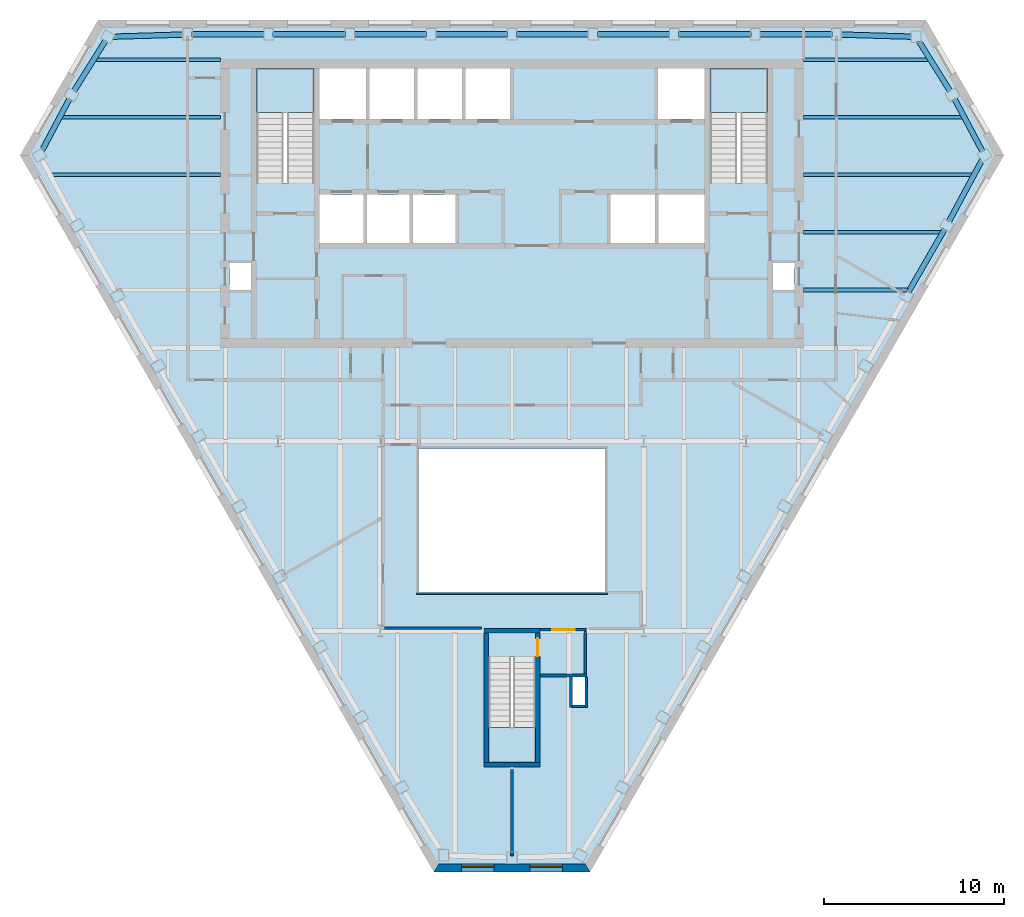
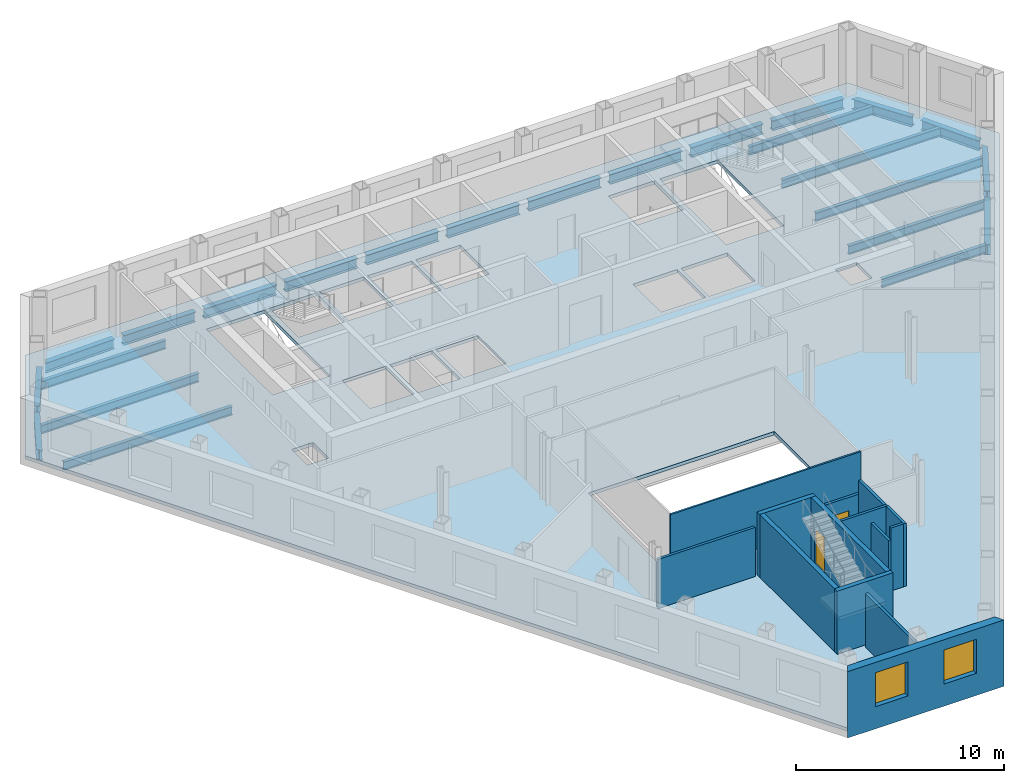
# One storey, part 3 of 10: 24 beams, 14 walls, 4 slabs, 2 doors, 2 windows, 4 openings, 3 elements without a shape of their own.
"""IFC4 building model written with IfcOpenShell, lengths in metres."""

import ifcopenshell
import ifcopenshell.guid

model = None  # the IFC model being written
_history = None  # IfcOwnerHistory: only IFC2X3 demands one
_inside = {}  # id of a spatial element -> (the spatial element, [elements in it])
_under = {}  # id of a project, library or spatial element -> (it, [spatial elements below it])
_declared = {}  # id of a project -> (the project, [libraries it declares])
_typed = {}  # id of a type object -> (the type object, [elements of that type])
_made_of = {}  # id of a material, layer set ... -> (it, [elements and type objects made of it])


def new_model(schema):
    """Start an empty IFC model of exactly this schema.

    Asked for "IFC4X3", IfcOpenShell would pick the latest addendum, in which some entities
    have other attributes; the version numbers below select the first issue.
    IFC2X3 requires an IfcOwnerHistory on every rooted entity: one is made here for all.
    """
    global model, _history
    if schema == "IFC4X3":
        model = ifcopenshell.file(schema_version=(4, 3, 0, 0))
    else:
        model = ifcopenshell.file(schema=schema)
    _inside.clear()
    _under.clear()
    _declared.clear()
    _typed.clear()
    _made_of.clear()
    _history = None
    if model.schema == "IFC2X3":
        org = make("IfcOrganization", Name="unknown")
        user = make(
            "IfcPersonAndOrganization",
            ThePerson=make("IfcPerson", FamilyName="unknown"),
            TheOrganization=org,
        )
        app = make(
            "IfcApplication",
            ApplicationDeveloper=org,
            Version="unknown",
            ApplicationFullName="unknown",
            ApplicationIdentifier="unknown",
        )
        _history = make(
            "IfcOwnerHistory",
            OwningUser=user,
            OwningApplication=app,
            ChangeAction="ADDED",
            CreationDate=0,
        )
    return model


def make(cls, **values):
    """One entity of the class cls with the attributes given. An attribute that is None is left unset."""
    return model.create_entity(
        cls, **{name: value for name, value in values.items() if value is not None}
    )


def rooted(cls, **values):
    """An entity with a GlobalId (a new one), such as an element, a storey or a relation."""
    return make(cls, GlobalId=ifcopenshell.guid.new(), OwnerHistory=_history, **values)


def si_unit(unit_type, name, prefix=None):
    """IfcSIUnit, for example si_unit("LENGTHUNIT", "METRE", prefix="MILLI")."""
    return make("IfcSIUnit", UnitType=unit_type, Prefix=prefix, Name=name)


def assignment(units):
    """IfcUnitAssignment: the units of a project."""
    return None if units is None else make("IfcUnitAssignment", Units=units)


def point(xyz):
    """IfcCartesianPoint."""
    return None if xyz is None else make("IfcCartesianPoint", Coordinates=xyz)


def direction(xyz):
    """IfcDirection."""
    return None if xyz is None else make("IfcDirection", DirectionRatios=xyz)


def frame(location, z_axis=None, x_axis=None):
    """IfcAxis2Placement3D, a coordinate frame: its origin and axes. An axis left out is left unset."""
    return make(
        "IfcAxis2Placement3D",
        Location=point(location),
        Axis=direction(z_axis),
        RefDirection=direction(x_axis),
    )


def frame_2d(location, x_axis=None):
    """IfcAxis2Placement2D, a coordinate frame in the plane: its origin and x axis."""
    return make(
        "IfcAxis2Placement2D", Location=point(location), RefDirection=direction(x_axis)
    )


def origin():
    """The frame at (0, 0, 0) with its axes left unset."""
    return frame((0.0, 0.0, 0.0))


def origin_2d():
    """The frame at (0, 0) in the plane with its x axis left unset."""
    return frame_2d((0.0, 0.0))


def place(relative_to, where):
    """IfcLocalPlacement: puts the frame where relative to a parent placement (None: the world)."""
    return make(
        "IfcLocalPlacement", PlacementRelTo=relative_to, RelativePlacement=where
    )


def context(
    kind, dimensions, precision=None, world=None, true_north=None, identifier=None
):
    """IfcGeometricRepresentationContext, for example the 3D "Model" context."""
    return make(
        "IfcGeometricRepresentationContext",
        ContextIdentifier=identifier,
        ContextType=kind,
        CoordinateSpaceDimension=dimensions,
        Precision=precision,
        WorldCoordinateSystem=world,
        TrueNorth=true_north,
    )


def subcontext(parent, identifier, kind, view, scale=None):
    """IfcGeometricRepresentationSubContext, for example "Body" below "Model"."""
    return make(
        "IfcGeometricRepresentationSubContext",
        ContextIdentifier=identifier,
        ContextType=kind,
        ParentContext=parent,
        TargetScale=scale,
        TargetView=view,
    )


def project(units=None, contexts=None):
    """IfcProject with its units and contexts."""
    return rooted(
        "IfcProject",
        Name="project",
        RepresentationContexts=contexts,
        UnitsInContext=assignment(units),
    )


def spatial(cls, under=None, at=None, **own):
    """A site, building, storey or space (cls), placed at a placement, below another one or the project."""
    s = rooted(cls, ObjectPlacement=at, **own)
    if under is not None:
        _under.setdefault(under.id(), (under, []))[1].append(s)
    return s


def polyline(points):
    """IfcPolyline through the points."""
    return make("IfcPolyline", Points=[point(p) for p in points])


def profile(cls, at=None, kind="AREA", **sizes):
    """A parametric profile (cls). Its sizes go by their IFC names, for example OverallWidth=200.0."""
    return make(cls, ProfileType=kind, Position=at, **sizes)


def rectangle(**sizes):
    """IfcRectangleProfileDef."""
    return profile("IfcRectangleProfileDef", **sizes)


def i_section(**sizes):
    """IfcIShapeProfileDef."""
    return profile("IfcIShapeProfileDef", **sizes)


def outline(outer, holes=None, kind="AREA"):
    """IfcArbitraryClosedProfileDef: a profile drawn as a closed curve; with holes, ...WithVoids."""
    if holes is None:
        return make("IfcArbitraryClosedProfileDef", ProfileType=kind, OuterCurve=outer)
    return make(
        "IfcArbitraryProfileDefWithVoids",
        ProfileType=kind,
        OuterCurve=outer,
        InnerCurves=holes,
    )


def extrude(swept, where, along, depth):
    """IfcExtrudedAreaSolid: the profile swept, set in the frame where, extruded along a direction by depth."""
    return make(
        "IfcExtrudedAreaSolid",
        SweptArea=swept,
        Position=where,
        ExtrudedDirection=direction(along),
        Depth=depth,
    )


def clip(a, b, op="DIFFERENCE"):
    """IfcBooleanClippingResult: the solid a cut by the half space b."""
    return make(
        "IfcBooleanClippingResult", Operator=op, FirstOperand=a, SecondOperand=b
    )


def halfspace(plane, agree):
    """IfcHalfSpaceSolid: all space on one side of the plane z = 0 of the frame plane."""
    return make(
        "IfcHalfSpaceSolid",
        BaseSurface=make("IfcPlane", Position=plane),
        AgreementFlag=agree,
    )


def shape(context_of_items, identifier, shape_type, items):
    """IfcShapeRepresentation: the items that make up one representation, for example the "Body"."""
    return make(
        "IfcShapeRepresentation",
        ContextOfItems=context_of_items,
        RepresentationIdentifier=identifier,
        RepresentationType=shape_type,
        Items=items,
    )


def material(Name=None, Category=None):
    """IfcMaterial."""
    return make("IfcMaterial", Name=Name, Category=Category)


def layer(
    of_material, thickness, ventilated=None, Name=None, Category=None, Priority=None
):
    """IfcMaterialLayer: one layer of a wall or slab, of a material (None: an air gap)."""
    return make(
        "IfcMaterialLayer",
        Material=of_material,
        LayerThickness=thickness,
        IsVentilated=ventilated,
        Name=Name,
        Category=Category,
        Priority=Priority,
    )


def layer_set(layers, Name=None):
    """IfcMaterialLayerSet."""
    return make("IfcMaterialLayerSet", MaterialLayers=layers, LayerSetName=Name)


def material_profile(
    of_material, cross_section, Name=None, Category=None, Priority=None
):
    """IfcMaterialProfile: a cross section and its material."""
    return make(
        "IfcMaterialProfile",
        Name=Name,
        Material=of_material,
        Profile=cross_section,
        Priority=Priority,
        Category=Category,
    )


def profile_set(profiles, Name=None, composite=None):
    """IfcMaterialProfileSet."""
    return make(
        "IfcMaterialProfileSet",
        Name=Name,
        MaterialProfiles=profiles,
        CompositeProfile=composite,
    )


def made_of(thing, what):
    """Note that an element or type object is made of a material, layer set ...; save() writes the relation."""
    if what is not None:
        _made_of.setdefault(what.id(), (what, []))[1].append(thing)
    return thing


def type_object(cls, material=None, **own):
    """A type object (cls), such as IfcWallType, which elements share."""
    return made_of(rooted(cls, **own), material)


def element(
    cls,
    number,
    at=None,
    inside=None,
    cuts=None,
    type_object=None,
    material=None,
    context=None,
    identifier="Body",
    shape_type=None,
    held_by="IfcProductDefinitionShape",
    body=None,
    shapes=None,
    **own,
):
    """One element of the class cls, such as IfcWall. Its Tag is "e" and its number.

    at: its placement. inside: the storey or other place that contains it. cuts: it is an
    opening in that element (IfcRelVoidsElement). A single representation is given by context,
    identifier, shape_type and body (its items); several are given by shapes. held_by: the class
    of the entity that holds the representations. save() writes the other relations.
    """
    e = rooted(cls, Tag="e%d" % number, ObjectPlacement=at, **own)
    if body is not None:
        shapes = [shape(context, identifier, shape_type, body)]
    if shapes is not None:
        e.Representation = make(held_by, Representations=shapes)
    if inside is not None:
        _inside.setdefault(inside.id(), (inside, []))[1].append(e)
    if cuts is not None:
        rooted(
            "IfcRelVoidsElement", RelatingBuildingElement=cuts, RelatedOpeningElement=e
        )
    if type_object is not None:
        _typed.setdefault(type_object.id(), (type_object, []))[1].append(e)
    return made_of(e, material)


def fill(opening, filler):
    """IfcRelFillsElement: the door or window that sits in an opening."""
    return rooted(
        "IfcRelFillsElement",
        RelatingOpeningElement=opening,
        RelatedBuildingElement=filler,
    )


def aggregate(whole, parts):
    """IfcRelAggregates: a whole, such as a stair, and the parts it consists of."""
    return rooted("IfcRelAggregates", RelatingObject=whole, RelatedObjects=parts)


def save(model, path):
    """Write the relations noted so far, then the file.

    IfcRelAggregates (storeys below a building ...), IfcRelContainedInSpatialStructure (elements
    in a storey), IfcRelDefinesByType, IfcRelAssociatesMaterial and IfcRelDeclares: one each for
    every whole, place, type object, material and project.
    """
    for whole, parts in _under.values():
        aggregate(whole, parts)
    for where, things in _inside.values():
        rooted(
            "IfcRelContainedInSpatialStructure",
            RelatedElements=things,
            RelatingStructure=where,
        )
    for kind, things in _typed.values():
        rooted("IfcRelDefinesByType", RelatedObjects=things, RelatingType=kind)
    for what, things in _made_of.values():
        rooted("IfcRelAssociatesMaterial", RelatedObjects=things, RelatingMaterial=what)
    for by, libraries in _declared.values():
        rooted("IfcRelDeclares", RelatingContext=by, RelatedDefinitions=libraries)
    model.write(path)


model = new_model("IFC4")

# Units and contexts
model_context = context("Model", 3, precision=1e-05, world=origin(), true_north=direction((0.0, 1.0)))
body_context = subcontext(model_context, "Body", "Model", "MODEL_VIEW")
ifc_project = project(units=[si_unit("LENGTHUNIT", "METRE"), si_unit("AREAUNIT", "SQUARE_METRE"), si_unit("VOLUMEUNIT", "CUBIC_METRE"), si_unit("PLANEANGLEUNIT", "RADIAN"), si_unit("MASSUNIT", "GRAM", prefix="KILO")], contexts=[model_context])

# Site, building, storey
site_placement = place(None, origin())
site = spatial("IfcSite", under=ifc_project, at=site_placement, CompositionType="ELEMENT")
building_placement = place(site_placement, origin())
building = spatial("IfcBuilding", under=site, at=building_placement, Name="Njiva Tower", CompositionType="ELEMENT")
storey_placement = place(building_placement, frame((0.0, 0.0, 155.4)))
storey = spatial("IfcBuildingStorey", under=building, at=storey_placement, Name="L33", CompositionType="ELEMENT", Elevation=155.4)

# Beams
ifc_material_1 = material(Name="Steel S355 J2", Category="steel")
ifc_material_profile_1 = material_profile(ifc_material_1, i_section(OverallWidth=0.2, OverallDepth=0.5, WebThickness=0.0102, FlangeThickness=0.016, at=origin_2d()), Name="IPE 500")
ifc_profile_set_1 = profile_set([ifc_material_profile_1], Name="Steel S355 J2")
beam_type_1 = type_object("IfcBeamType", Name="B24 Floor beam to the core IPE 500", PredefinedType="BEAM", material=ifc_profile_set_1)
beam_1_placement = place(storey_placement, frame((16.2, 5.2, -0.45), z_axis=(1.0, 0.0, 0.0), x_axis=(0.0, 1.0, 0.0)))
element("IfcBeam", 1, at=beam_1_placement, inside=storey, type_object=beam_type_1, Name="Floor beam to the core S11-B007", PredefinedType="BEAM", context=body_context, shape_type="Clipping", body=[
    clip(extrude(i_section(OverallWidth=0.2, OverallDepth=0.5, WebThickness=0.0102, FlangeThickness=0.016, at=origin_2d()), origin(), (0.0, 0.0, 1.0), 5.854), halfspace(frame((-0.025, 0.0, 5.7611), z_axis=(-0.499998009787, 0.0, 0.866026552831), x_axis=(0.0, 1.0, 0.0)), False)),
])
beam_2_placement = place(storey_placement, frame((16.2, 8.4, -0.45), z_axis=(1.0, 0.0, 0.0), x_axis=(0.0, 1.0, 0.0)))
element("IfcBeam", 2, at=beam_2_placement, inside=storey, type_object=beam_type_1, Name="Floor beam to the core S11-B008", PredefinedType="BEAM", context=body_context, shape_type="Clipping", body=[
    clip(extrude(i_section(OverallWidth=0.2, OverallDepth=0.5, WebThickness=0.0102, FlangeThickness=0.016, at=origin_2d()), origin(), (0.0, 0.0, 1.0), 7.701), halfspace(frame((-0.025, 0.0, 7.6086), z_axis=(-0.499998009787, 0.0, 0.866026552831), x_axis=(0.0, 1.0, 0.0)), False)),
])
beam_3_placement = place(storey_placement, frame((-25.635, 11.6, -0.45), z_axis=(1.0, 0.0, 0.0), x_axis=(0.0, 1.0, 0.0)))
element("IfcBeam", 3, at=beam_3_placement, inside=storey, type_object=beam_type_1, Name="Floor beam to the core S11-B001", PredefinedType="BEAM", context=body_context, shape_type="Clipping", body=[
    clip(extrude(i_section(OverallWidth=0.2, OverallDepth=0.5, WebThickness=0.0102, FlangeThickness=0.016, at=origin_2d()), origin(), (0.0, 0.0, 1.0), 9.435), halfspace(frame((-0.0237, 0.0, 0.0863), z_axis=(-0.47376166762, 0.0, -0.88065309986), x_axis=(0.0, -1.0, 0.0)), False)),
])
beam_4_placement = place(storey_placement, frame((16.2, 11.6, -0.45), z_axis=(1.0, 0.0, 0.0), x_axis=(0.0, 1.0, 0.0)))
element("IfcBeam", 4, at=beam_4_placement, inside=storey, type_object=beam_type_1, Name="Floor beam to the core S11-B010", PredefinedType="BEAM", context=body_context, shape_type="Clipping", body=[
    clip(extrude(i_section(OverallWidth=0.2, OverallDepth=0.5, WebThickness=0.0102, FlangeThickness=0.016, at=origin_2d()), origin(), (0.0, 0.0, 1.0), 9.435), halfspace(frame((-0.0237, 0.0, 9.3487), z_axis=(-0.47376166762, 0.0, 0.88065309986), x_axis=(0.0, 1.0, 0.0)), False)),
])
beam_5_placement = place(storey_placement, frame((-25.092, 14.8, -0.45), z_axis=(1.0, 0.0, 0.0), x_axis=(0.0, 1.0, 0.0)))
element("IfcBeam", 5, at=beam_5_placement, inside=storey, type_object=beam_type_1, Name="Floor beam to the core S11-B002", PredefinedType="BEAM", context=body_context, shape_type="Clipping", body=[
    clip(extrude(i_section(OverallWidth=0.2, OverallDepth=0.5, WebThickness=0.0102, FlangeThickness=0.016, at=origin_2d()), origin(), (0.0, 0.0, 1.0), 8.892), halfspace(frame((0.0235, 0.0, 0.0856), z_axis=(0.469390396119, 0.0, -0.882990745156), x_axis=(0.0, -1.0, 0.0)), False)),
])
beam_6_placement = place(storey_placement, frame((16.2, 14.8, -0.45), z_axis=(1.0, 0.0, 0.0), x_axis=(0.0, 1.0, 0.0)))
element("IfcBeam", 6, at=beam_6_placement, inside=storey, type_object=beam_type_1, Name="Floor beam to the core S11-B011", PredefinedType="BEAM", context=body_context, shape_type="Clipping", body=[
    clip(extrude(i_section(OverallWidth=0.2, OverallDepth=0.5, WebThickness=0.0102, FlangeThickness=0.016, at=origin_2d()), origin(), (0.0, 0.0, 1.0), 8.892), halfspace(frame((0.0235, 0.0, 8.8064), z_axis=(0.469390396119, 0.0, 0.882990745156), x_axis=(0.0, 1.0, 0.0)), False)),
])
beam_7_placement = place(storey_placement, frame((-23.213, 18.0, -0.45), z_axis=(1.0, 0.0, 0.0), x_axis=(0.0, 1.0, 0.0)))
element("IfcBeam", 7, at=beam_7_placement, inside=storey, type_object=beam_type_1, Name="Floor beam to the core S11-B005", PredefinedType="BEAM", context=body_context, shape_type="Clipping", body=[
    clip(extrude(i_section(OverallWidth=0.2, OverallDepth=0.5, WebThickness=0.0102, FlangeThickness=0.016, at=origin_2d()), origin(), (0.0, 0.0, 1.0), 7.013), halfspace(frame((0.0265, 0.0, 0.0994), z_axis=(0.529998940003, 0.0, -0.847998304005), x_axis=(0.0, -1.0, 0.0)), False)),
])
beam_8_placement = place(storey_placement, frame((16.2, 18.0, -0.45), z_axis=(1.0, 0.0, 0.0), x_axis=(0.0, 1.0, 0.0)))
element("IfcBeam", 8, at=beam_8_placement, inside=storey, type_object=beam_type_1, Name="Floor beam to the core S11-B012", PredefinedType="BEAM", context=body_context, shape_type="Clipping", body=[
    clip(extrude(i_section(OverallWidth=0.2, OverallDepth=0.5, WebThickness=0.0102, FlangeThickness=0.016, at=origin_2d()), origin(), (0.0, 0.0, 1.0), 7.013), halfspace(frame((0.0265, 0.0, 6.9136), z_axis=(0.529998940003, 0.0, 0.847998304005), x_axis=(0.0, 1.0, 0.0)), False)),
])
ifc_material_profile_2 = material_profile(ifc_material_1, i_section(OverallWidth=0.3, OverallDepth=0.59, WebThickness=0.013, FlangeThickness=0.025, at=origin_2d()), Name="HEA 600")
ifc_profile_set_2 = profile_set([ifc_material_profile_2], Name="Steel S355 J2")
beam_type_2 = type_object("IfcBeamType", Name="B27 Short-span spandrel beam HEA 600", PredefinedType="SPANDREL", material=ifc_profile_set_2)
beam_9_placement = place(storey_placement, frame((22.202, 19.275, -0.495), z_axis=(-0.999555331057, 0.029818453272, 0.0), x_axis=(-0.029818453272, -0.999555331057, 0.0)))
element("IfcBeam", 9, at=beam_9_placement, inside=storey, type_object=beam_type_2, Name="Short-span spandrel beam S11-B145", PredefinedType="SPANDREL", context=body_context, shape_type="SweptSolid", body=[
    extrude(i_section(OverallWidth=0.3, OverallDepth=0.59, WebThickness=0.013, FlangeThickness=0.025, at=origin_2d()), origin(), (0.0, 0.0, 1.0), 3.9237),
])
beam_10_placement = place(storey_placement, frame((17.776, 19.4, -0.495), z_axis=(-1.0, 0.0, 0.0), x_axis=(0.0, -1.0, 0.0)))
element("IfcBeam", 10, at=beam_10_placement, inside=storey, type_object=beam_type_2, Name="Short-span spandrel beam S11-B139", PredefinedType="SPANDREL", context=body_context, shape_type="SweptSolid", body=[
    extrude(i_section(OverallWidth=0.3, OverallDepth=0.59, WebThickness=0.013, FlangeThickness=0.025, at=origin_2d()), origin(), (0.0, 0.0, 1.0), 4.006),
])
beam_11_placement = place(storey_placement, frame((13.27, 19.4, -0.495), z_axis=(-1.0, 0.0, 0.0), x_axis=(0.0, -1.0, 0.0)))
element("IfcBeam", 11, at=beam_11_placement, inside=storey, type_object=beam_type_2, Name="Short-span spandrel beam S11-B133", PredefinedType="SPANDREL", context=body_context, shape_type="SweptSolid", body=[
    extrude(i_section(OverallWidth=0.3, OverallDepth=0.59, WebThickness=0.013, FlangeThickness=0.025, at=origin_2d()), origin(), (0.0, 0.0, 1.0), 4.007),
])
beam_12_placement = place(storey_placement, frame((8.763, 19.4, -0.495), z_axis=(-1.0, 0.0, 0.0), x_axis=(0.0, -1.0, 0.0)))
element("IfcBeam", 12, at=beam_12_placement, inside=storey, type_object=beam_type_2, Name="Short-span spandrel beam S11-B127", PredefinedType="SPANDREL", context=body_context, shape_type="SweptSolid", body=[
    extrude(i_section(OverallWidth=0.3, OverallDepth=0.59, WebThickness=0.013, FlangeThickness=0.025, at=origin_2d()), origin(), (0.0, 0.0, 1.0), 4.006),
])
for number, where, z_axis, x_axis, name in (
    (13, (4.257, 19.4, -0.495), (-1.0, 0.0, 0.0), (0.0, -1.0, 0.0), "Short-span spandrel beam S11-B124"),
    (14, (-0.25, 19.4, -0.495), (-1.0, 0.0, 0.0), (0.0, -1.0, 0.0), "Short-span spandrel beam S11-B119"),
):
    element("IfcBeam", number, at=place(storey_placement, frame(where, z_axis=z_axis, x_axis=x_axis)), inside=storey, type_object=beam_type_2, Name=name, PredefinedType="SPANDREL", context=body_context, shape_type="SweptSolid", body=[
        extrude(i_section(OverallWidth=0.3, OverallDepth=0.59, WebThickness=0.013, FlangeThickness=0.025, at=origin_2d()), origin(), (0.0, 0.0, 1.0), 4.007),
    ])
beam_13_placement = place(storey_placement, frame((-4.757, 19.4, -0.495), z_axis=(-1.0, 0.0, 0.0), x_axis=(0.0, -1.0, 0.0)))
element("IfcBeam", 15, at=beam_13_placement, inside=storey, type_object=beam_type_2, Name="Short-span spandrel beam S11-B114", PredefinedType="SPANDREL", context=body_context, shape_type="SweptSolid", body=[
    extrude(i_section(OverallWidth=0.3, OverallDepth=0.59, WebThickness=0.013, FlangeThickness=0.025, at=origin_2d()), origin(), (0.0, 0.0, 1.0), 4.006),
])
beam_14_placement = place(storey_placement, frame((-9.263, 19.4, -0.495), z_axis=(-1.0, 0.0, 0.0), x_axis=(0.0, -1.0, 0.0)))
element("IfcBeam", 16, at=beam_14_placement, inside=storey, type_object=beam_type_2, Name="Short-span spandrel beam S11-B108", PredefinedType="SPANDREL", context=body_context, shape_type="SweptSolid", body=[
    extrude(i_section(OverallWidth=0.3, OverallDepth=0.59, WebThickness=0.013, FlangeThickness=0.025, at=origin_2d()), origin(), (0.0, 0.0, 1.0), 4.007),
])
beam_15_placement = place(storey_placement, frame((-13.77, 19.4, -0.495), z_axis=(-1.0, 0.0, 0.0), x_axis=(0.0, -1.0, 0.0)))
element("IfcBeam", 17, at=beam_15_placement, inside=storey, type_object=beam_type_2, Name="Short-span spandrel beam S11-B102", PredefinedType="SPANDREL", context=body_context, shape_type="SweptSolid", body=[
    extrude(i_section(OverallWidth=0.3, OverallDepth=0.59, WebThickness=0.013, FlangeThickness=0.025, at=origin_2d()), origin(), (0.0, 0.0, 1.0), 4.006),
])
beam_16_placement = place(storey_placement, frame((-18.28, 19.392, -0.495), z_axis=(-0.999548107162, -0.030059631884, 0.0), x_axis=(0.030059631884, -0.999548107162, 0.0)))
element("IfcBeam", 18, at=beam_16_placement, inside=storey, type_object=beam_type_2, Name="Short-span spandrel beam S11-B096", PredefinedType="SPANDREL", context=body_context, shape_type="Clipping", body=[
    clip(extrude(i_section(OverallWidth=0.3, OverallDepth=0.59, WebThickness=0.013, FlangeThickness=0.025, at=origin_2d()), origin(), (0.0, 0.0, 1.0), 3.9387), halfspace(frame((-0.0268, 0.0, 3.809), z_axis=(-0.525804503647, 0.0, 0.850605445518), x_axis=(0.0, 1.0, 0.0)), False)),
])
beam_17_placement = place(storey_placement, frame((-22.591, 19.051, -0.495), z_axis=(-0.529944373672, -0.848032405521, 0.0), x_axis=(0.848032405521, -0.529944373672, 0.0)))
element("IfcBeam", 19, at=beam_17_placement, inside=storey, type_object=beam_type_2, Name="Short-span spandrel beam S11-B092", PredefinedType="SPANDREL", context=body_context, shape_type="SweptSolid", body=[
    extrude(i_section(OverallWidth=0.3, OverallDepth=0.59, WebThickness=0.013, FlangeThickness=0.025, at=origin_2d()), origin(), (0.0, 0.0, 1.0), 3.2947),
])
beam_18_placement = place(storey_placement, frame((-24.592, 15.816, -0.495), z_axis=(-0.469483200143, -0.882941405068, 0.0), x_axis=(0.882941405068, -0.469483200143, 0.0)))
element("IfcBeam", 20, at=beam_18_placement, inside=storey, type_object=beam_type_2, Name="Short-span spandrel beam S11-B089", PredefinedType="SPANDREL", context=body_context, shape_type="Clipping", body=[
    clip(extrude(i_section(OverallWidth=0.3, OverallDepth=0.59, WebThickness=0.013, FlangeThickness=0.025, at=origin_2d()), origin(), (0.0, 0.0, 1.0), 3.309), halfspace(frame((-0.0262, 0.0, 3.1783), z_axis=(-0.529910035684, 0.0, 0.848053862724), x_axis=(0.0, 1.0, 0.0)), False)),
])
beam_19_placement = place(storey_placement, frame((22.03, 5.094, -0.495), z_axis=(0.499924104568, 0.866069217599, 0.0), x_axis=(-0.866069217599, 0.499924104568, 0.0)))
element("IfcBeam", 21, at=beam_19_placement, inside=storey, type_object=beam_type_2, Name="Short-span spandrel beam S11-B150", PredefinedType="SPANDREL", context=body_context, shape_type="SweptSolid", body=[
    extrude(i_section(OverallWidth=0.3, OverallDepth=0.59, WebThickness=0.013, FlangeThickness=0.025, at=origin_2d()), origin(), (0.0, 0.0, 1.0), 4.0066),
])
beam_20_placement = place(storey_placement, frame((24.278, 9.004, -0.495), z_axis=(0.473881592304, 0.880588573896, 0.0), x_axis=(-0.880588573896, 0.473881592304, 0.0)))
element("IfcBeam", 22, at=beam_20_placement, inside=storey, type_object=beam_type_2, Name="Short-span spandrel beam S11-B154", PredefinedType="SPANDREL", context=body_context, shape_type="Clipping", body=[
    clip(extrude(i_section(OverallWidth=0.3, OverallDepth=0.59, WebThickness=0.013, FlangeThickness=0.025, at=origin_2d()), origin(), (0.0, 0.0, 1.0), 3.9389), halfspace(frame((-0.0262, 0.0, 3.8093), z_axis=(-0.525673234087, 0.0, 0.850686576222), x_axis=(0.0, 1.0, 0.0)), False)),
])
beam_21_placement = place(storey_placement, frame((26.138, 12.908, -0.495), z_axis=(-0.469421608983, 0.882974151955, 0.0), x_axis=(-0.882974151955, -0.469421608983, 0.0)))
element("IfcBeam", 23, at=beam_21_placement, inside=storey, type_object=beam_type_2, Name="Short-span spandrel beam S11-B155", PredefinedType="SPANDREL", context=body_context, shape_type="SweptSolid", body=[
    extrude(i_section(OverallWidth=0.3, OverallDepth=0.59, WebThickness=0.013, FlangeThickness=0.025, at=origin_2d()), origin(), (0.0, 0.0, 1.0), 3.2934),
])
beam_22_placement = place(storey_placement, frame((24.337, 16.257, -0.495), z_axis=(-0.529830145636, 0.848103777126, 0.0), x_axis=(-0.848103777126, -0.529830145636, 0.0)))
element("IfcBeam", 24, at=beam_22_placement, inside=storey, type_object=beam_type_2, Name="Short-span spandrel beam S11-B151", PredefinedType="SPANDREL", context=body_context, shape_type="Clipping", body=[
    clip(extrude(i_section(OverallWidth=0.3, OverallDepth=0.59, WebThickness=0.013, FlangeThickness=0.025, at=origin_2d()), origin(), (0.0, 0.0, 1.0), 3.3094), halfspace(frame((-0.0263, 0.0, 3.1789), z_axis=(-0.529830145636, 0.0, 0.848103777126), x_axis=(0.0, 1.0, 0.0)), False)),
])

# Stair, slab
ifc_material_2 = material(Name="Concrete C40/50", Category="concrete")
stair_type_1 = type_object("IfcStairType", Name="ST4 Exit stair 1500", PredefinedType="HALF_TURN_STAIR", material=ifc_material_2)
stair_1_placement = place(storey_placement, origin())
stair_1 = element("IfcStair", 25, at=stair_1_placement, inside=storey, type_object=stair_type_1, Name="Stair A", PredefinedType="HALF_TURN_STAIR")
ifc_layer_1 = layer(ifc_material_2, 0.2)
ifc_layer_set_1 = layer_set([ifc_layer_1], Name="Concrete C40/50")
slab_type_1 = type_object("IfcSlabType", Name="FL9 Stair landing 200", PredefinedType="LANDING", material=ifc_layer_set_1)
slab_1_placement = place(storey_placement, frame((0.0, 0.0, 1.75)))
slab_1 = element("IfcSlab", 26, at=slab_1_placement, type_object=slab_type_1, Name="ST-A landing 1", PredefinedType="LANDING", context=body_context, shape_type="SweptSolid", body=[
    extrude(outline(polyline([(-14.206, 15.06), (-10.994, 15.06), (-10.994, 17.5), (-14.206, 17.5), (-14.206, 15.06)])), origin(), (0.0, 0.0, 1.0), 0.2),
])
aggregate(stair_1, [slab_1])

stair_2_placement = place(storey_placement, origin())
stair_2 = element("IfcStair", 27, at=stair_2_placement, inside=storey, type_object=stair_type_1, Name="Stair B", PredefinedType="HALF_TURN_STAIR")
slab_2_placement = place(storey_placement, frame((0.0, 0.0, 1.75)))
slab_2 = element("IfcSlab", 28, at=slab_2_placement, type_object=slab_type_1, Name="ST-B landing 1", PredefinedType="LANDING", context=body_context, shape_type="SweptSolid", body=[
    extrude(outline(polyline([(10.994, 15.06), (14.206, 15.06), (14.206, 17.5), (10.994, 17.5), (10.994, 15.06)])), origin(), (0.0, 0.0, 1.0), 0.2),
])
aggregate(stair_2, [slab_2])

stair_type_2 = type_object("IfcStairType", Name="ST1 Exit stair 1250", PredefinedType="HALF_TURN_STAIR", material=ifc_material_2)
stair_3_placement = place(storey_placement, origin())
stair_3 = element("IfcStair", 29, at=stair_3_placement, inside=storey, type_object=stair_type_2, Name="Stair C", PredefinedType="HALF_TURN_STAIR")
slab_3_placement = place(storey_placement, frame((0.0, 0.0, 1.75)))
slab_3 = element("IfcSlab", 30, at=slab_3_placement, type_object=slab_type_1, Name="ST-C landing 1", PredefinedType="LANDING", context=body_context, shape_type="SweptSolid", body=[
    extrude(outline(polyline([(-1.306, -21.05), (1.306, -21.05), (1.306, -19.12), (-1.306, -19.12), (-1.306, -21.05)])), origin(), (0.0, 0.0, 1.0), 0.2),
])
aggregate(stair_3, [slab_3])

# Slab
ifc_material_3 = material(Name="Concrete C30/37", Category="concrete")
ifc_layer_2 = layer(ifc_material_3, 0.2)
ifc_layer_set_2 = layer_set([ifc_layer_2], Name="Concrete C30/37")
slab_type_2 = type_object("IfcSlabType", Name="SL16 Composite floor slab 200", PredefinedType="FLOOR", material=ifc_layer_set_2)
slab_4_placement = place(storey_placement, frame((0.0, 0.0, -0.2)))
element("IfcSlab", 31, at=slab_4_placement, inside=storey, type_object=slab_type_2, Name="Floor slab L33", PredefinedType="FLOOR", context=body_context, shape_type="SweptSolid", body=[
    extrude(outline(polyline([(27.0752, 12.6829), (4.2101, -26.9206), (-4.2101, -26.9206), (-27.0752, 12.6829), (-22.8651, 19.975), (22.8651, 19.975), (27.0752, 12.6829)]), holes=[polyline([(14.5, 5.2), (15.7, 5.2), (15.7, 6.7), (14.5, 6.7), (14.5, 5.2)]), polyline([(10.994, 17.5), (10.994, 11.13), (14.206, 11.13), (14.206, 17.5), (10.994, 17.5)]), polyline([(8.125, 17.5), (8.125, 14.7), (10.7, 14.7), (10.7, 17.5), (8.125, 17.5)]), polyline([(8.1333, 7.8), (10.7, 7.8), (10.7, 10.5), (8.1333, 10.5), (8.1333, 7.8)]), polyline([(5.4667, 7.8), (7.9333, 7.8), (7.9333, 10.5), (5.4667, 10.5), (5.4667, 7.8)]), polyline([(5.17, -11.6), (5.17, -3.6), (-5.17, -3.6), (-5.17, -11.6), (5.17, -11.6)]), polyline([(3.35, -17.85), (4.05, -17.85), (4.05, -16.3), (3.35, -16.3), (3.35, -17.85)]), polyline([(-1.306, -21.05), (1.306, -21.05), (1.306, -15.19), (-1.306, -15.19), (-1.306, -21.05)]), polyline([(-2.575, 14.7), (-0.1, 14.7), (-0.1, 17.5), (-2.575, 17.5), (-2.575, 14.7)]), polyline([(-5.25, 14.7), (-2.775, 14.7), (-2.775, 17.5), (-5.25, 17.5), (-5.25, 14.7)]), polyline([(-5.5, 7.8), (-3.15, 7.8), (-3.15, 10.5), (-5.5, 10.5), (-5.5, 7.8)]), polyline([(-7.925, 14.7), (-5.45, 14.7), (-5.45, 17.5), (-7.925, 17.5), (-7.925, 14.7)]), polyline([(-8.05, 7.8), (-5.7, 7.8), (-5.7, 10.5), (-8.05, 10.5), (-8.05, 7.8)]), polyline([(-10.7, 14.7), (-8.125, 14.7), (-8.125, 17.5), (-10.7, 17.5), (-10.7, 14.7)]), polyline([(-10.7, 7.8), (-8.25, 7.8), (-8.25, 10.5), (-10.7, 10.5), (-10.7, 7.8)]), polyline([(-14.206, 11.13), (-10.994, 11.13), (-10.994, 17.5), (-14.206, 17.5), (-14.206, 11.13)]), polyline([(-15.7, 5.2), (-14.5, 5.2), (-14.5, 6.7), (-15.7, 6.7), (-15.7, 5.2)])]), origin(), (0.0, 0.0, 1.0), 0.2),
])

# Walls
ifc_material_4 = material(Name="Gypsum board on steel studs", Category="gypsum")
ifc_layer_3 = layer(ifc_material_4, 0.15)
ifc_layer_set_3 = layer_set([ifc_layer_3], Name="Gypsum board on steel studs")
wall_type_1 = type_object("IfcWallType", Name="WT21 Compartment wall 150", PredefinedType="PARTITIONING", material=ifc_layer_set_3)
wall_1_placement = place(storey_placement, frame((-7.095, -13.6, 0.0), z_axis=(0.0, 0.0, 1.0), x_axis=(1.0, 0.0, 0.0)))
element("IfcWall", 32, at=wall_1_placement, inside=storey, type_object=wall_type_1, Name="Partition S11-P011", PredefinedType="PARTITIONING", context=body_context, shape_type="SweptSolid", body=[
    extrude(rectangle(XDim=5.395, YDim=0.15, at=frame_2d((2.6975, 0.0))), origin(), (0.0, 0.0, 1.0), 2.886),
])
wall_2_placement = place(storey_placement, frame((0.0, -26.246, 0.0), z_axis=(0.0, 0.0, 1.0), x_axis=(0.0, 1.0, 0.0)))
element("IfcWall", 33, at=wall_2_placement, inside=storey, type_object=wall_type_1, Name="Partition S11-P014", PredefinedType="PARTITIONING", context=body_context, shape_type="SweptSolid", body=[
    extrude(rectangle(XDim=4.796, YDim=0.15, at=frame_2d((2.398, 0.0))), origin(), (0.0, 0.0, 1.0), 3.15),
])
ifc_material_5 = material(Name="Blockwork", Category="masonry")
ifc_layer_4 = layer(ifc_material_5, 0.15)
ifc_layer_set_4 = layer_set([ifc_layer_4], Name="Blockwork")
wall_type_2 = type_object("IfcWallType", Name="WT4 Stair partition 150", PredefinedType="PARTITIONING", material=ifc_layer_set_4)
wall_3_placement = place(storey_placement, frame((1.55, -16.225, 0.0), z_axis=(0.0, 0.0, 1.0), x_axis=(1.0, 0.0, 0.0)))
element("IfcWall", 34, at=wall_3_placement, inside=storey, type_object=wall_type_2, Name="Stair C vestibule wall south", PredefinedType="PARTITIONING", context=body_context, shape_type="SweptSolid", body=[
    extrude(rectangle(XDim=2.6, YDim=0.15, at=frame_2d((1.3, 0.0))), origin(), (0.0, 0.0, 1.0), 3.7),
])
wall_4_placement = place(storey_placement, frame((4.075, -16.15, 0.0), z_axis=(0.0, 0.0, 1.0), x_axis=(0.0, 1.0, 0.0)))
element("IfcWall", 35, at=wall_4_placement, inside=storey, type_object=wall_type_2, Name="Stair C vestibule wall east", PredefinedType="PARTITIONING", context=body_context, shape_type="SweptSolid", body=[
    extrude(rectangle(XDim=2.4, YDim=0.15, at=frame_2d((1.2, 0.0))), origin(), (0.0, 0.0, 1.0), 3.7),
])

# Wall, opening, door
wall_5_placement = place(storey_placement, frame((1.55, -13.675, 0.0), z_axis=(0.0, 0.0, 1.0), x_axis=(1.0, 0.0, 0.0)))
wall_5 = element("IfcWall", 36, at=wall_5_placement, inside=storey, type_object=wall_type_2, Name="Stair C vestibule wall north", PredefinedType="PARTITIONING", context=body_context, shape_type="SweptSolid", body=[
    extrude(rectangle(XDim=2.6, YDim=0.15, at=frame_2d((1.3, 0.0))), origin(), (0.0, 0.0, 1.0), 2.886),
])
opening_1_placement = place(wall_5_placement, frame((0.675, 0.0, 0.0)))
opening_1 = element("IfcOpeningElement", 37, at=opening_1_placement, cuts=wall_5, Name="Opening S11-D937", PredefinedType="OPENING", context=body_context, shape_type="SweptSolid", body=[
    extrude(rectangle(XDim=1.25, YDim=2.1, at=frame_2d((0.625, 1.05))), frame((0.0, 0.085, 0.0), z_axis=(0.0, -1.0, 0.0), x_axis=(1.0, 0.0, 0.0)), (0.0, 0.0, 1.0), 0.17),
])
ifc_material_6 = material(Name="Glazed steel fire door", Category="steel")
door_type_1 = type_object("IfcDoorType", Name="D8 Vestibule corridor door 1250x2100 glazed", OperationType="SINGLE_SWING_LEFT", PredefinedType="DOOR", material=ifc_material_6)
door_1_placement = place(opening_1_placement, origin())
door_1 = element("IfcDoor", 38, at=door_1_placement, inside=storey, type_object=door_type_1, Name="Stair vestibule corridor door", OperationType="SINGLE_SWING_RIGHT", OverallHeight=2.1, OverallWidth=1.25, PredefinedType="DOOR", context=body_context, shape_type="SweptSolid", body=[
    extrude(rectangle(XDim=1.25, YDim=2.1, at=frame_2d((0.625, 1.05))), frame((0.0, 0.025, 0.0), z_axis=(0.0, -1.0, 0.0), x_axis=(1.0, 0.0, 0.0)), (0.0, 0.0, 1.0), 0.05),
])
fill(opening_1, door_1)

# Walls
wall_6_placement = place(storey_placement, frame((3.275, -18.0, 0.0), z_axis=(0.0, 0.0, 1.0), x_axis=(0.0, 1.0, 0.0)))
element("IfcWall", 39, at=wall_6_placement, inside=storey, type_object=wall_type_2, Name="Stair C pressurisation shaft wall", PredefinedType="PARTITIONING", context=body_context, shape_type="SweptSolid", body=[
    extrude(rectangle(XDim=1.7, YDim=0.15, at=frame_2d((0.85, 0.0))), origin(), (0.0, 0.0, 1.0), 3.01),
])
wall_7_placement = place(storey_placement, frame((3.35, -17.925, 0.0), z_axis=(0.0, 0.0, 1.0), x_axis=(1.0, 0.0, 0.0)))
element("IfcWall", 40, at=wall_7_placement, inside=storey, type_object=wall_type_2, Name="Stair C pressurisation shaft wall", PredefinedType="PARTITIONING", context=body_context, shape_type="SweptSolid", body=[
    extrude(rectangle(XDim=0.7, YDim=0.15, at=frame_2d((0.35, 0.0))), origin(), (0.0, 0.0, 1.0), 3.7),
])
wall_8_placement = place(storey_placement, frame((4.125, -18.0, 0.0), z_axis=(0.0, 0.0, 1.0), x_axis=(0.0, 1.0, 0.0)))
element("IfcWall", 41, at=wall_8_placement, inside=storey, type_object=wall_type_2, Name="Stair C pressurisation shaft wall", PredefinedType="PARTITIONING", context=body_context, shape_type="SweptSolid", body=[
    extrude(rectangle(XDim=1.7, YDim=0.15, at=frame_2d((0.85, 0.0))), origin(), (0.0, 0.0, 1.0), 3.7),
])
ifc_layer_5 = layer(ifc_material_2, 0.25)
ifc_layer_set_5 = layer_set([ifc_layer_5], Name="Concrete C40/50")
wall_type_3 = type_object("IfcWallType", Name="WT9 Stair enclosure wall 250", PredefinedType="SHEAR", material=ifc_layer_set_5)
wall_9_placement = place(storey_placement, frame((-1.425, -21.05, 0.0), z_axis=(0.0, 0.0, 1.0), x_axis=(0.0, 1.0, 0.0)))
element("IfcWall", 42, at=wall_9_placement, inside=storey, type_object=wall_type_3, Name="Stair C wall west", PredefinedType="SHEAR", context=body_context, shape_type="SweptSolid", body=[
    extrude(rectangle(XDim=7.2, YDim=0.25, at=frame_2d((3.6, 0.0))), origin(), (0.0, 0.0, 1.0), 3.7),
])

# Wall, opening, door
wall_10_placement = place(storey_placement, frame((1.425, -21.05, 0.0), z_axis=(0.0, 0.0, 1.0), x_axis=(0.0, 1.0, 0.0)))
wall_10 = element("IfcWall", 43, at=wall_10_placement, inside=storey, type_object=wall_type_3, Name="Stair C wall east", PredefinedType="SHEAR", context=body_context, shape_type="SweptSolid", body=[
    extrude(rectangle(XDim=7.2, YDim=0.25, at=frame_2d((3.6, 0.0))), origin(), (0.0, 0.0, 1.0), 3.7),
])
opening_2_placement = place(wall_10_placement, frame((5.89, 0.0, 0.0)))
opening_2 = element("IfcOpeningElement", 44, at=opening_2_placement, cuts=wall_10, Name="Opening S11-D936", PredefinedType="OPENING", context=body_context, shape_type="SweptSolid", body=[
    extrude(rectangle(XDim=1.0, YDim=2.1, at=frame_2d((0.5, 1.05))), frame((0.0, 0.135, 0.0), z_axis=(0.0, -1.0, 0.0), x_axis=(1.0, 0.0, 0.0)), (0.0, 0.0, 1.0), 0.27),
])
door_type_2 = type_object("IfcDoorType", Name="D9 Stair vestibule door 1000x2100 glazed", OperationType="SINGLE_SWING_LEFT", PredefinedType="DOOR", material=ifc_material_6)
door_2_placement = place(opening_2_placement, origin())
door_2 = element("IfcDoor", 45, at=door_2_placement, inside=storey, type_object=door_type_2, Name="Stair C door", OperationType="SINGLE_SWING_LEFT", OverallHeight=2.1, OverallWidth=1.0, PredefinedType="DOOR", context=body_context, shape_type="SweptSolid", body=[
    extrude(rectangle(XDim=1.0, YDim=2.1, at=frame_2d((0.5, 1.05))), frame((0.0, 0.025, 0.0), z_axis=(0.0, -1.0, 0.0), x_axis=(1.0, 0.0, 0.0)), (0.0, 0.0, 1.0), 0.05),
])
fill(opening_2, door_2)

# Walls
for number, where, z_axis, x_axis, name in (
    (46, (-1.55, -21.175, 0.0), (0.0, 0.0, 1.0), (1.0, 0.0, 0.0), "Stair C wall south"),
    (47, (-1.55, -13.725, 0.0), (0.0, 0.0, 1.0), (1.0, 0.0, 0.0), "Stair C wall north"),
):
    element("IfcWall", number, at=place(storey_placement, frame(where, z_axis=z_axis, x_axis=x_axis)), inside=storey, type_object=wall_type_3, Name=name, PredefinedType="SHEAR", context=body_context, shape_type="SweptSolid", body=[
        extrude(rectangle(XDim=3.1, YDim=0.25, at=frame_2d((1.55, 0.0))), origin(), (0.0, 0.0, 1.0), 3.7),
    ])

# Wall, openings, windows
ifc_material_7 = material(Name="Brick masonry, buff", Category="masonry")
ifc_layer_6 = layer(ifc_material_7, 0.45)
ifc_layer_set_6 = layer_set([ifc_layer_6], Name="Brick masonry, buff")
wall_type_4 = type_object("IfcWallType", Name="WT94 Brick pier and spandrel wall 450, buff", PredefinedType="SOLIDWALL", material=ifc_layer_set_6)
wall_11_placement = place(storey_placement, frame((-4.2101, -26.9206, -0.4), z_axis=(0.0, 0.0, 1.0), x_axis=(1.0, 0.0, 0.0)))
wall_11 = element("IfcWall", 48, at=wall_11_placement, inside=storey, type_object=wall_type_4, Name="Facade wall S", PredefinedType="SOLIDWALL", context=body_context, shape_type="SweptSolid", body=[
    extrude(outline(polyline([(-0.1299, -0.225), (8.5501, -0.225), (8.2903, 0.225), (0.1299, 0.225), (-0.1299, -0.225)])), origin(), (0.0, 0.0, 1.0), 3.9),
])
opening_3_placement = place(wall_11_placement, frame((1.4094, 0.0, 1.3)))
opening_3 = element("IfcOpeningElement", 49, at=opening_3_placement, cuts=wall_11, Name="Opening S11-W22", PredefinedType="OPENING", context=body_context, shape_type="SweptSolid", body=[
    extrude(rectangle(XDim=1.8, YDim=2.0, at=frame_2d((0.9, 1.0))), frame((0.0, 0.235, 0.0), z_axis=(0.0, -1.0, 0.0), x_axis=(1.0, 0.0, 0.0)), (0.0, 0.0, 1.0), 0.47),
])
opening_4_placement = place(wall_11_placement, frame((5.2107, 0.0, 1.3)))
opening_4 = element("IfcOpeningElement", 50, at=opening_4_placement, cuts=wall_11, Name="Opening S11-W23", PredefinedType="OPENING", context=body_context, shape_type="SweptSolid", body=[
    extrude(rectangle(XDim=1.8, YDim=2.0, at=frame_2d((0.9, 1.0))), frame((0.0, 0.235, 0.0), z_axis=(0.0, -1.0, 0.0), x_axis=(1.0, 0.0, 0.0)), (0.0, 0.0, 1.0), 0.47),
])
ifc_material_8 = material(Name="Clear glazing in aluminium frame", Category="aluminium")
window_type = type_object("IfcWindowType", Name="W94 Deep-set window 1800x2000", PartitioningType="SINGLE_PANEL", PredefinedType="WINDOW", material=ifc_material_8)
window_1_placement = place(opening_3_placement, origin())
window_1 = element("IfcWindow", 51, at=window_1_placement, inside=storey, type_object=window_type, Name="Window", OverallHeight=2.0, OverallWidth=1.8, PartitioningType="SINGLE_PANEL", PredefinedType="WINDOW", context=body_context, shape_type="SweptSolid", body=[
    extrude(rectangle(XDim=1.8, YDim=2.0, at=frame_2d((0.9, 1.0))), frame((0.0, 0.105, 0.0), z_axis=(0.0, -1.0, 0.0), x_axis=(1.0, 0.0, 0.0)), (0.0, 0.0, 1.0), 0.06),
])
fill(opening_3, window_1)
window_2_placement = place(opening_4_placement, origin())
window_2 = element("IfcWindow", 52, at=window_2_placement, inside=storey, type_object=window_type, Name="Window", OverallHeight=2.0, OverallWidth=1.8, PartitioningType="SINGLE_PANEL", PredefinedType="WINDOW", context=body_context, shape_type="SweptSolid", body=[
    extrude(rectangle(XDim=1.8, YDim=2.0, at=frame_2d((0.9, 1.0))), frame((0.0, 0.105, 0.0), z_axis=(0.0, -1.0, 0.0), x_axis=(1.0, 0.0, 0.0)), (0.0, 0.0, 1.0), 0.06),
])
fill(opening_4, window_2)

# Wall
ifc_material_9 = material(Name="Fire-resisting glazing EI 90", Category="glass")
ifc_layer_7 = layer(ifc_material_9, 0.1)
ifc_layer_set_7 = layer_set([ifc_layer_7], Name="Fire-resisting glazing EI 90")
wall_type_5 = type_object("IfcWallType", Name="WT95 Fire-resisting glazed screen EI 90", PredefinedType="PARTITIONING", material=ifc_layer_set_7)
wall_12_placement = place(storey_placement, frame((-5.29, -11.67, 0.0), z_axis=(0.0, 0.0, 1.0), x_axis=(1.0, 0.0, 0.0)))
element("IfcWall", 53, at=wall_12_placement, inside=storey, type_object=wall_type_5, Name="Atrium fire screen south", PredefinedType="PARTITIONING", context=body_context, shape_type="SweptSolid", body=[
    extrude(rectangle(XDim=10.58, YDim=0.1, at=frame_2d((5.29, 0.0))), origin(), (0.0, 0.0, 1.0), 3.7),
])

save(model, "model.ifc")
